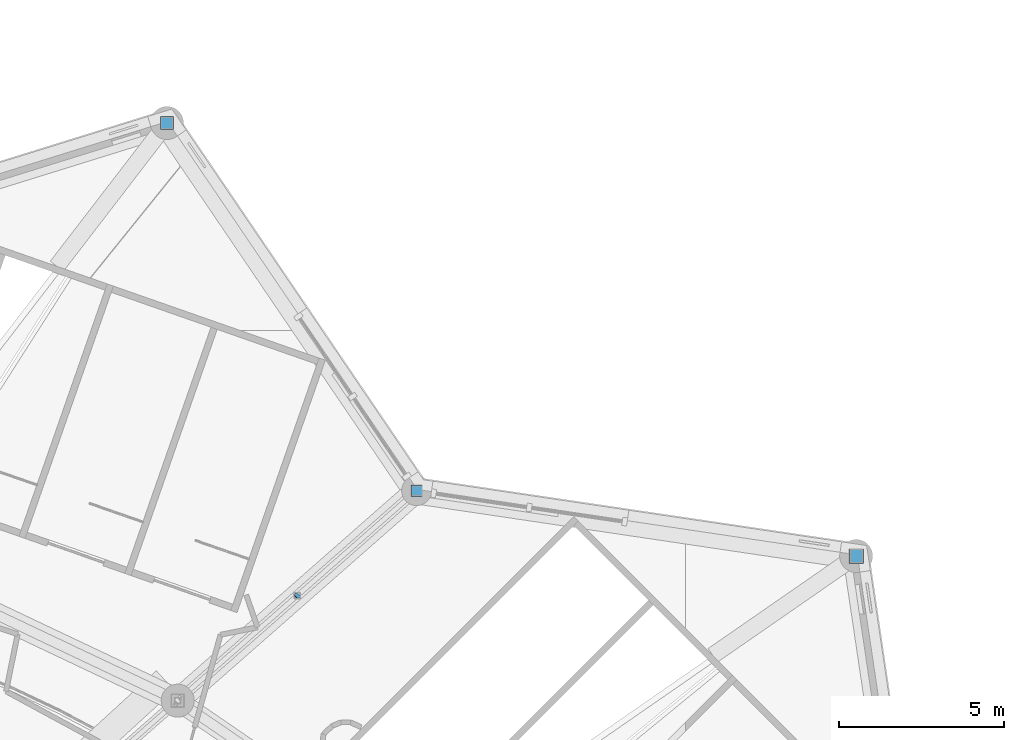
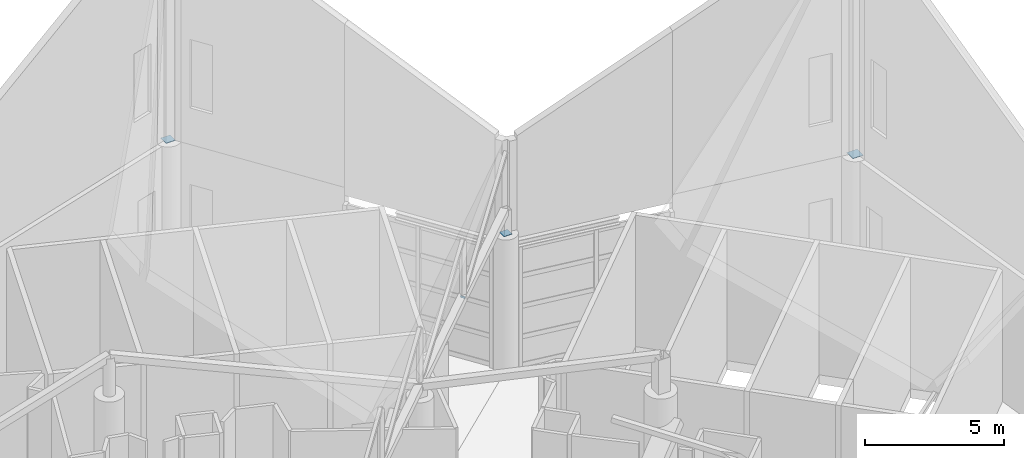
# One storey, part 337 of 344: 4 discrete accessories.
"""IFC4 building model written with IfcOpenShell, lengths in metres."""

from ifc_helpers import new_model, si_unit, direction, frame, origin, origin_2d, place, context, subcontext, project, spatial, rectangle, extrude, material, material_profile, profile_set, type_object, element, save


model = new_model("IFC4")

# Units and contexts
model_context = context("Model", 3, precision=1e-05, world=origin(), true_north=direction((0.0, 1.0)))
body_context = subcontext(model_context, "Body", "Model", "MODEL_VIEW")
ifc_project = project(units=[si_unit("LENGTHUNIT", "METRE"), si_unit("AREAUNIT", "SQUARE_METRE"), si_unit("VOLUMEUNIT", "CUBIC_METRE"), si_unit("PLANEANGLEUNIT", "RADIAN"), si_unit("MASSUNIT", "GRAM", prefix="KILO")], contexts=[model_context])

# Site, building, storey
site_placement = place(None, origin())
site = spatial("IfcSite", under=ifc_project, at=site_placement, CompositionType="ELEMENT")
building_placement = place(site_placement, origin())
building = spatial("IfcBuilding", under=site, at=building_placement, Name="Meseta Stadium", CompositionType="ELEMENT")
storey_placement = place(building_placement, frame((0.0, 0.0, 24.0)))
storey = spatial("IfcBuildingStorey", under=building, at=storey_placement, Name="L04", CompositionType="ELEMENT", Elevation=24.0)

# Discrete accessories
ifc_material_1 = material(Name="Steel S355", Category="steel")
ifc_material_profile_1 = material_profile(ifc_material_1, rectangle(XDim=0.179931640625, YDim=0.179931640625, at=origin_2d()), Name="PL 180x180")
ifc_profile_set_1 = profile_set([ifc_material_profile_1], Name="Steel S355")
discrete_accessory_type_1 = type_object("IfcDiscreteAccessoryType", Name="End plate 180x180x20", PredefinedType="ANCHORPLATE", material=ifc_profile_set_1)
discrete_accessory_1_placement = place(storey_placement, frame((68.226806640625, 87.960693359375, 6.38916015625), z_axis=(0.632736394544, 0.547560341432, 0.547560341432), x_axis=(-0.654376744439, 0.756168682463, 0.0)))
element("IfcDiscreteAccessory", 1, at=discrete_accessory_1_placement, inside=storey, type_object=discrete_accessory_type_1, Name="End plate of ROOF TRUSS RT-13 diagonal", PredefinedType="ANCHORPLATE", context=body_context, shape_type="SweptSolid", body=[
    extrude(rectangle(XDim=0.179931640625, YDim=0.179931640625, at=origin_2d()), origin(), (0.0, 0.0, 1.0), 0.02001953125),
])
ifc_material_2 = material(Name="Steel S355", Category="steel")
ifc_material_profile_2 = material_profile(ifc_material_2, rectangle(XDim=0.340087890625, YDim=0.340087890625, at=origin_2d()), Name="PL 340x340")
ifc_profile_set_2 = profile_set([ifc_material_profile_2], Name="Steel S355")
discrete_accessory_type_2 = type_object("IfcDiscreteAccessoryType", Name="End plate 340x340x20", PredefinedType="ANCHORPLATE", material=ifc_profile_set_2)
discrete_accessory_2_placement = place(storey_placement, frame((71.856689453125, 91.15087890625, 5.97998046875), z_axis=(0.0, 0.0, 1.0), x_axis=(1.0, 0.0, 0.0)))
element("IfcDiscreteAccessory", 2, at=discrete_accessory_2_placement, inside=storey, type_object=discrete_accessory_type_2, Name="End plate of ROOF RIM POST RT-13", PredefinedType="ANCHORPLATE", context=body_context, shape_type="SweptSolid", body=[
    extrude(rectangle(XDim=0.340087890625, YDim=0.340087890625, at=origin_2d()), origin(), (0.0, 0.0, 1.0), 0.02001953125),
])
ifc_material_3 = material(Name="Steel S355", Category="steel")
ifc_material_profile_3 = material_profile(ifc_material_3, rectangle(XDim=0.389892578125, YDim=0.389892578125, at=origin_2d()), Name="PL 390x390")
ifc_profile_set_3 = profile_set([ifc_material_profile_3], Name="Steel S355")
discrete_accessory_type_3 = type_object("IfcDiscreteAccessoryType", Name="End plate 390x390x20", PredefinedType="ANCHORPLATE", material=ifc_profile_set_3)
discrete_accessory_3_placement = place(storey_placement, frame((64.29736328125, 102.291015625, 5.97998046875), z_axis=(0.0, 0.0, 1.0), x_axis=(1.0, 0.0, 0.0)))
element("IfcDiscreteAccessory", 3, at=discrete_accessory_3_placement, inside=storey, type_object=discrete_accessory_type_3, Name="End plate of ROOF RIM POST RT-14", PredefinedType="ANCHORPLATE", context=body_context, shape_type="SweptSolid", body=[
    extrude(rectangle(XDim=0.389892578125, YDim=0.389892578125, at=origin_2d()), origin(), (0.0, 0.0, 1.0), 0.02001953125),
])
ifc_material_4 = material(Name="Steel S355", Category="steel")
ifc_material_profile_4 = material_profile(ifc_material_4, rectangle(XDim=0.43994140625, YDim=0.43994140625, at=origin_2d()), Name="PL 440x440")
ifc_profile_set_4 = profile_set([ifc_material_profile_4], Name="Steel S355")
discrete_accessory_type_4 = type_object("IfcDiscreteAccessoryType", Name="End plate 440x440x20", PredefinedType="ANCHORPLATE", material=ifc_profile_set_4)
discrete_accessory_4_placement = place(storey_placement, frame((85.173828125, 89.173828125, 5.97998046875), z_axis=(0.0, 0.0, 1.0), x_axis=(1.0, 0.0, 0.0)))
element("IfcDiscreteAccessory", 4, at=discrete_accessory_4_placement, inside=storey, type_object=discrete_accessory_type_4, Name="End plate of ROOF RIM POST RT-12", PredefinedType="ANCHORPLATE", context=body_context, shape_type="SweptSolid", body=[
    extrude(rectangle(XDim=0.43994140625, YDim=0.43994140625, at=origin_2d()), origin(), (0.0, 0.0, 1.0), 0.02001953125),
])

save(model, "model.ifc")
